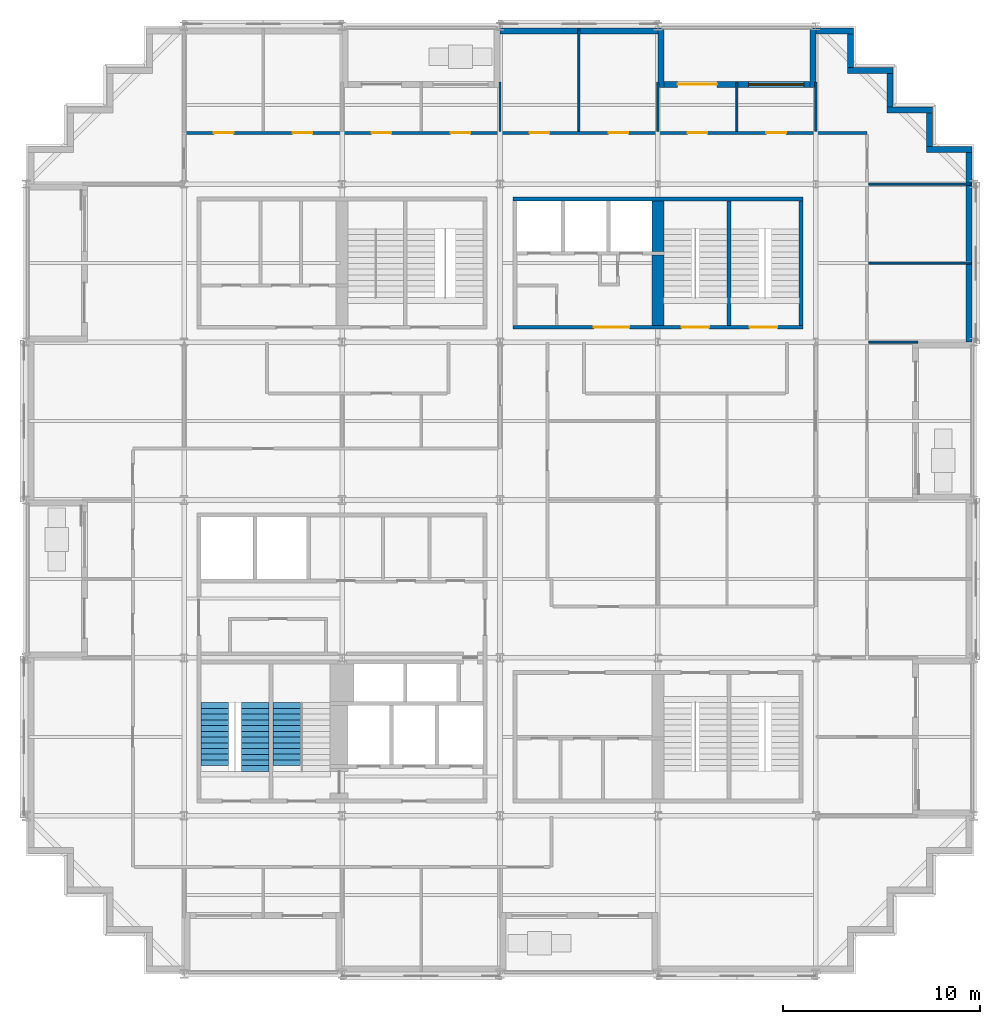
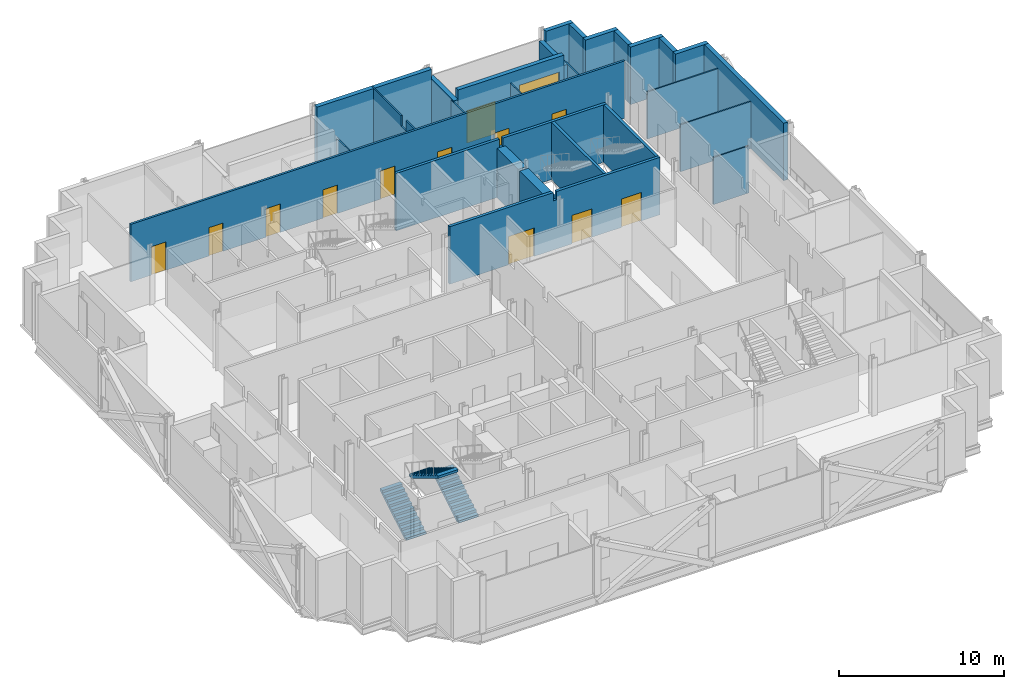
# One storey, part 11 of 15: 27 walls, 12 doors, 3 stair flights, 1 window, 13 openings, 2 elements without a shape of their own.
"""IFC4 building model written with IfcOpenShell, lengths in metres."""

from ifc_helpers import new_model, si_unit, direction, frame, frame_2d, origin, place, context, subcontext, project, spatial, polyline, rectangle, outline, extrude, material, layer, layer_set, type_object, element, fill, aggregate, save


model = new_model("IFC4")

# Units and contexts
model_context = context("Model", 3, precision=1e-05, world=origin(), true_north=direction((0.0, 1.0)))
body_context = subcontext(model_context, "Body", "Model", "MODEL_VIEW")
ifc_project = project(units=[si_unit("LENGTHUNIT", "METRE"), si_unit("AREAUNIT", "SQUARE_METRE"), si_unit("VOLUMEUNIT", "CUBIC_METRE"), si_unit("PLANEANGLEUNIT", "RADIAN"), si_unit("MASSUNIT", "GRAM", prefix="KILO")], contexts=[model_context])

# Site, building, storey
site_placement = place(None, origin())
site = spatial("IfcSite", under=ifc_project, at=site_placement, CompositionType="ELEMENT")
building_placement = place(site_placement, origin())
building = spatial("IfcBuilding", under=site, at=building_placement, Name="Immortelle Media Tower", CompositionType="ELEMENT")
storey_placement = place(building_placement, frame((0.0, 0.0, 105.199951171875)))
storey = spatial("IfcBuildingStorey", under=building, at=storey_placement, Name="L20", CompositionType="ELEMENT", Elevation=105.199951171875)

# Wall, openings, doors
ifc_material_1 = material(Name="Fire-rated gypsum board", Category="gypsum")
ifc_layer_1 = layer(ifc_material_1, 0.012451171875)
ifc_material_2 = material(Name="Steel ASTM A653 SS Gr 50 stud frame with mineral wool", Category="steel")
ifc_layer_2 = layer(ifc_material_2, 0.125)
ifc_layer_3 = layer(ifc_material_1, 0.012451171875)
ifc_layer_set_1 = layer_set([ifc_layer_1, ifc_layer_2, ifc_layer_3], Name="Steel ASTM A653 SS Gr 50 stud frame with mineral wool")
wall_type_1 = type_object("IfcWallType", Name="Corridor wall 150", PredefinedType="PARTITIONING", material=ifc_layer_set_1)
wall_1_placement = place(storey_placement, frame((8.050048828125, 42.60009765625, 0.0), z_axis=(0.0, 0.0, 1.0), x_axis=(1.0, 0.0, 0.0)))
wall_1 = element("IfcWall", 1, at=wall_1_placement, inside=storey, type_object=wall_type_1, Name="Partition L20-045", PredefinedType="PARTITIONING", context=body_context, shape_type="SweptSolid", body=[
    extrude(rectangle(XDim=34.550048828125, YDim=0.14990234375, at=frame_2d((17.27490234375, 0.0))), origin(), (0.0, 0.0, 1.0), 4.25),
])
opening_1_placement = place(wall_1_placement, frame((9.449951171875, 0.0, 0.0)))
opening_1 = element("IfcOpeningElement", 2, at=opening_1_placement, cuts=wall_1, Name="Opening N7-F027", PredefinedType="OPENING", context=body_context, shape_type="SweptSolid", body=[
    extrude(rectangle(XDim=1.0, YDim=2.10009765625, at=frame_2d((0.5, 1.050048828125))), frame((0.0, 0.0849609375, 0.0), z_axis=(0.0, -1.0, 0.0), x_axis=(1.0, 0.0, 0.0)), (0.0, 0.0, 1.0), 0.169921875),
])
opening_2_placement = place(wall_1_placement, frame((13.449951171875, 0.0, 0.0)))
opening_2 = element("IfcOpeningElement", 3, at=opening_2_placement, cuts=wall_1, Name="Opening N7-F028", PredefinedType="OPENING", context=body_context, shape_type="SweptSolid", body=[
    extrude(rectangle(XDim=1.0, YDim=2.10009765625, at=frame_2d((0.5, 1.050048828125))), frame((0.0, 0.0849609375, 0.0), z_axis=(0.0, -1.0, 0.0), x_axis=(1.0, 0.0, 0.0)), (0.0, 0.0, 1.0), 0.169921875),
])
opening_3_placement = place(wall_1_placement, frame((25.449951171875, 0.0, 0.0)))
opening_3 = element("IfcOpeningElement", 4, at=opening_3_placement, cuts=wall_1, Name="Opening N7-F029", PredefinedType="OPENING", context=body_context, shape_type="SweptSolid", body=[
    extrude(rectangle(XDim=1.0, YDim=2.10009765625, at=frame_2d((0.5, 1.050048828125))), frame((0.0, 0.0849609375, 0.0), z_axis=(0.0, -1.0, 0.0), x_axis=(1.0, 0.0, 0.0)), (0.0, 0.0, 1.0), 0.169921875),
])
opening_4_placement = place(wall_1_placement, frame((29.449951171875, 0.0, 0.0)))
opening_4 = element("IfcOpeningElement", 5, at=opening_4_placement, cuts=wall_1, Name="Opening N7-F030", PredefinedType="OPENING", context=body_context, shape_type="SweptSolid", body=[
    extrude(rectangle(XDim=1.0, YDim=2.10009765625, at=frame_2d((0.5, 1.050048828125))), frame((0.0, 0.0849609375, 0.0), z_axis=(0.0, -1.0, 0.0), x_axis=(1.0, 0.0, 0.0)), (0.0, 0.0, 1.0), 0.169921875),
])
opening_5_placement = place(wall_1_placement, frame((1.449951171875, 0.0, 0.0)))
opening_5 = element("IfcOpeningElement", 6, at=opening_5_placement, cuts=wall_1, Name="Opening N7-F031", PredefinedType="OPENING", context=body_context, shape_type="SweptSolid", body=[
    extrude(rectangle(XDim=1.0, YDim=2.10009765625, at=frame_2d((0.5, 1.050048828125))), frame((0.0, 0.0849609375, 0.0), z_axis=(0.0, -1.0, 0.0), x_axis=(1.0, 0.0, 0.0)), (0.0, 0.0, 1.0), 0.169921875),
])
opening_6_placement = place(wall_1_placement, frame((5.449951171875, 0.0, 0.0)))
opening_6 = element("IfcOpeningElement", 7, at=opening_6_placement, cuts=wall_1, Name="Opening N7-F032", PredefinedType="OPENING", context=body_context, shape_type="SweptSolid", body=[
    extrude(rectangle(XDim=1.0, YDim=2.10009765625, at=frame_2d((0.5, 1.050048828125))), frame((0.0, 0.0849609375, 0.0), z_axis=(0.0, -1.0, 0.0), x_axis=(1.0, 0.0, 0.0)), (0.0, 0.0, 1.0), 0.169921875),
])
opening_7_placement = place(wall_1_placement, frame((17.449951171875, 0.0, 0.0)))
opening_7 = element("IfcOpeningElement", 8, at=opening_7_placement, cuts=wall_1, Name="Opening N7-F033", PredefinedType="OPENING", context=body_context, shape_type="SweptSolid", body=[
    extrude(rectangle(XDim=1.0, YDim=2.10009765625, at=frame_2d((0.5, 1.050048828125))), frame((0.0, 0.0849609375, 0.0), z_axis=(0.0, -1.0, 0.0), x_axis=(1.0, 0.0, 0.0)), (0.0, 0.0, 1.0), 0.169921875),
])
opening_8_placement = place(wall_1_placement, frame((21.449951171875, 0.0, 0.0)))
opening_8 = element("IfcOpeningElement", 9, at=opening_8_placement, cuts=wall_1, Name="Opening N7-F034", PredefinedType="OPENING", context=body_context, shape_type="SweptSolid", body=[
    extrude(rectangle(XDim=1.0, YDim=2.10009765625, at=frame_2d((0.5, 1.050048828125))), frame((0.0, 0.0849609375, 0.0), z_axis=(0.0, -1.0, 0.0), x_axis=(1.0, 0.0, 0.0)), (0.0, 0.0, 1.0), 0.169921875),
])
ifc_material_3 = material(Name="Timber veneered door leaf, galvanised steel frame ASTM A653", Category="steel")
door_type_1 = type_object("IfcDoorType", Name="Room door 1000 x 2100", OperationType="NOTDEFINED", PredefinedType="DOOR", material=ifc_material_3)
door_1_placement = place(opening_1_placement, origin())
door_1 = element("IfcDoor", 10, at=door_1_placement, inside=storey, type_object=door_type_1, Name="Door N7-F027", OperationType="SINGLE_SWING_RIGHT", OverallHeight=2.10009765625, OverallWidth=1.0, PredefinedType="DOOR", context=body_context, shape_type="SweptSolid", body=[
    extrude(rectangle(XDim=1.0, YDim=2.10009765625, at=frame_2d((0.5, 1.050048828125))), frame((0.0, 0.02490234375, 0.0), z_axis=(0.0, -1.0, 0.0), x_axis=(1.0, 0.0, 0.0)), (0.0, 0.0, 1.0), 0.050048828125),
])
fill(opening_1, door_1)
door_2_placement = place(opening_2_placement, origin())
door_2 = element("IfcDoor", 11, at=door_2_placement, inside=storey, type_object=door_type_1, Name="Door N7-F028", OperationType="SINGLE_SWING_LEFT", OverallHeight=2.10009765625, OverallWidth=1.0, PredefinedType="DOOR", context=body_context, shape_type="SweptSolid", body=[
    extrude(rectangle(XDim=1.0, YDim=2.10009765625, at=frame_2d((0.5, 1.050048828125))), frame((0.0, 0.02490234375, 0.0), z_axis=(0.0, -1.0, 0.0), x_axis=(1.0, 0.0, 0.0)), (0.0, 0.0, 1.0), 0.050048828125),
])
fill(opening_2, door_2)
door_3_placement = place(opening_3_placement, origin())
door_3 = element("IfcDoor", 12, at=door_3_placement, inside=storey, type_object=door_type_1, Name="Door N7-F029", OperationType="SINGLE_SWING_RIGHT", OverallHeight=2.10009765625, OverallWidth=1.0, PredefinedType="DOOR", context=body_context, shape_type="SweptSolid", body=[
    extrude(rectangle(XDim=1.0, YDim=2.10009765625, at=frame_2d((0.5, 1.050048828125))), frame((0.0, 0.02490234375, 0.0), z_axis=(0.0, -1.0, 0.0), x_axis=(1.0, 0.0, 0.0)), (0.0, 0.0, 1.0), 0.050048828125),
])
fill(opening_3, door_3)
door_4_placement = place(opening_4_placement, origin())
door_4 = element("IfcDoor", 13, at=door_4_placement, inside=storey, type_object=door_type_1, Name="Door N7-F030", OperationType="SINGLE_SWING_RIGHT", OverallHeight=2.10009765625, OverallWidth=1.0, PredefinedType="DOOR", context=body_context, shape_type="SweptSolid", body=[
    extrude(rectangle(XDim=1.0, YDim=2.10009765625, at=frame_2d((0.5, 1.050048828125))), frame((0.0, 0.02490234375, 0.0), z_axis=(0.0, -1.0, 0.0), x_axis=(1.0, 0.0, 0.0)), (0.0, 0.0, 1.0), 0.050048828125),
])
fill(opening_4, door_4)
door_5_placement = place(opening_5_placement, origin())
door_5 = element("IfcDoor", 14, at=door_5_placement, inside=storey, type_object=door_type_1, Name="Door N7-F031", OperationType="SINGLE_SWING_LEFT", OverallHeight=2.10009765625, OverallWidth=1.0, PredefinedType="DOOR", context=body_context, shape_type="SweptSolid", body=[
    extrude(rectangle(XDim=1.0, YDim=2.10009765625, at=frame_2d((0.5, 1.050048828125))), frame((0.0, 0.02490234375, 0.0), z_axis=(0.0, -1.0, 0.0), x_axis=(1.0, 0.0, 0.0)), (0.0, 0.0, 1.0), 0.050048828125),
])
fill(opening_5, door_5)
door_6_placement = place(opening_6_placement, origin())
door_6 = element("IfcDoor", 15, at=door_6_placement, inside=storey, type_object=door_type_1, Name="Door N7-F032", OperationType="SINGLE_SWING_RIGHT", OverallHeight=2.10009765625, OverallWidth=1.0, PredefinedType="DOOR", context=body_context, shape_type="SweptSolid", body=[
    extrude(rectangle(XDim=1.0, YDim=2.10009765625, at=frame_2d((0.5, 1.050048828125))), frame((0.0, 0.02490234375, 0.0), z_axis=(0.0, -1.0, 0.0), x_axis=(1.0, 0.0, 0.0)), (0.0, 0.0, 1.0), 0.050048828125),
])
fill(opening_6, door_6)
door_7_placement = place(opening_7_placement, origin())
door_7 = element("IfcDoor", 16, at=door_7_placement, inside=storey, type_object=door_type_1, Name="Door N7-F033", OperationType="SINGLE_SWING_LEFT", OverallHeight=2.10009765625, OverallWidth=1.0, PredefinedType="DOOR", context=body_context, shape_type="SweptSolid", body=[
    extrude(rectangle(XDim=1.0, YDim=2.10009765625, at=frame_2d((0.5, 1.050048828125))), frame((0.0, 0.02490234375, 0.0), z_axis=(0.0, -1.0, 0.0), x_axis=(1.0, 0.0, 0.0)), (0.0, 0.0, 1.0), 0.050048828125),
])
fill(opening_7, door_7)
door_8_placement = place(opening_8_placement, origin())
door_8 = element("IfcDoor", 17, at=door_8_placement, inside=storey, type_object=door_type_1, Name="Door N7-F034", OperationType="SINGLE_SWING_RIGHT", OverallHeight=2.10009765625, OverallWidth=1.0, PredefinedType="DOOR", context=body_context, shape_type="SweptSolid", body=[
    extrude(rectangle(XDim=1.0, YDim=2.10009765625, at=frame_2d((0.5, 1.050048828125))), frame((0.0, 0.02490234375, 0.0), z_axis=(0.0, -1.0, 0.0), x_axis=(1.0, 0.0, 0.0)), (0.0, 0.0, 1.0), 0.050048828125),
])
fill(opening_8, door_8)

# Walls
ifc_material_4 = material(Name="Pale aluminium cladding panel", Category="aluminium")
ifc_layer_4 = layer(ifc_material_4, 0.030029296875)
ifc_layer_5 = layer(ifc_material_2, 0.257568359375)
ifc_material_5 = material(Name="Moisture-resistant gypsum board", Category="gypsum")
ifc_layer_6 = layer(ifc_material_5, 0.012451171875)
ifc_layer_set_2 = layer_set([ifc_layer_4, ifc_layer_5, ifc_layer_6], Name="Steel ASTM A653 SS Gr 50 stud frame with mineral wool")
wall_type_2 = type_object("IfcWallType", Name="Facade wall 300", PredefinedType="SOLIDWALL", material=ifc_layer_set_2)
wall_2_placement = place(storey_placement, frame((47.75, 32.0, 0.0), z_axis=(0.0, 0.0, 1.0), x_axis=(0.0, 1.0, 0.0)))
element("IfcWall", 18, at=wall_2_placement, inside=storey, type_object=wall_type_2, Name="Facade wall L20 E14", PredefinedType="SOLIDWALL", context=body_context, shape_type="SweptSolid", body=[
    extrude(rectangle(XDim=9.60009765625, YDim=0.300048828125, at=frame_2d((4.800048828125, 0.0))), origin(), (0.0, 0.0, 1.0), 4.25),
])
wall_3_placement = place(storey_placement, frame((47.89990234375, 41.75, 0.0), z_axis=(0.0, 0.0, 1.0), x_axis=(-1.0, 0.0, 0.0)))
element("IfcWall", 19, at=wall_3_placement, inside=storey, type_object=wall_type_2, Name="Facade wall L20 N15", PredefinedType="SOLIDWALL", context=body_context, shape_type="SweptSolid", body=[
    extrude(rectangle(XDim=2.2998046875, YDim=0.300048828125, at=frame_2d((1.14990234375, 0.0))), origin(), (0.0, 0.0, 1.0), 4.25),
])
wall_4_placement = place(storey_placement, frame((45.75, 41.89990234375, 0.0), z_axis=(0.0, 0.0, 1.0), x_axis=(0.0, 1.0, 0.0)))
element("IfcWall", 20, at=wall_4_placement, inside=storey, type_object=wall_type_2, Name="Facade wall L20 E16", PredefinedType="SOLIDWALL", context=body_context, shape_type="SweptSolid", body=[
    extrude(rectangle(XDim=1.7001953125, YDim=0.300048828125, at=frame_2d((0.85009765625, 0.0))), origin(), (0.0, 0.0, 1.0), 4.25),
])
wall_5_placement = place(storey_placement, frame((45.89990234375, 43.75, 0.0), z_axis=(0.0, 0.0, 1.0), x_axis=(-1.0, 0.0, 0.0)))
element("IfcWall", 21, at=wall_5_placement, inside=storey, type_object=wall_type_2, Name="Facade wall L20 N17", PredefinedType="SOLIDWALL", context=body_context, shape_type="SweptSolid", body=[
    extrude(rectangle(XDim=2.2998046875, YDim=0.300048828125, at=frame_2d((1.14990234375, 0.0))), origin(), (0.0, 0.0, 1.0), 4.25),
])
wall_6_placement = place(storey_placement, frame((43.75, 43.89990234375, 0.0), z_axis=(0.0, 0.0, 1.0), x_axis=(0.0, 1.0, 0.0)))
element("IfcWall", 22, at=wall_6_placement, inside=storey, type_object=wall_type_2, Name="Facade wall L20 E18", PredefinedType="SOLIDWALL", context=body_context, shape_type="SweptSolid", body=[
    extrude(rectangle(XDim=1.7001953125, YDim=0.300048828125, at=frame_2d((0.85009765625, 0.0))), origin(), (0.0, 0.0, 1.0), 4.25),
])
wall_7_placement = place(storey_placement, frame((43.89990234375, 45.75, 0.0), z_axis=(0.0, 0.0, 1.0), x_axis=(-1.0, 0.0, 0.0)))
element("IfcWall", 23, at=wall_7_placement, inside=storey, type_object=wall_type_2, Name="Facade wall L20 N19", PredefinedType="SOLIDWALL", context=body_context, shape_type="SweptSolid", body=[
    extrude(rectangle(XDim=2.2998046875, YDim=0.300048828125, at=frame_2d((1.14990234375, 0.0))), origin(), (0.0, 0.0, 1.0), 4.25),
])
wall_8_placement = place(storey_placement, frame((41.75, 45.89990234375, 0.0), z_axis=(0.0, 0.0, 1.0), x_axis=(0.0, 1.0, 0.0)))
element("IfcWall", 24, at=wall_8_placement, inside=storey, type_object=wall_type_2, Name="Facade wall L20 E20", PredefinedType="SOLIDWALL", context=body_context, shape_type="SweptSolid", body=[
    extrude(rectangle(XDim=1.7001953125, YDim=0.300048828125, at=frame_2d((0.85009765625, 0.0))), origin(), (0.0, 0.0, 1.0), 4.25),
])
wall_9_placement = place(storey_placement, frame((41.89990234375, 47.75, 0.0), z_axis=(0.0, 0.0, 1.0), x_axis=(-1.0, 0.0, 0.0)))
element("IfcWall", 25, at=wall_9_placement, inside=storey, type_object=wall_type_2, Name="Facade wall L20 N21", PredefinedType="SOLIDWALL", context=body_context, shape_type="SweptSolid", body=[
    extrude(rectangle(XDim=1.89990234375, YDim=0.300048828125, at=frame_2d((0.949951171875, 0.0))), origin(), (0.0, 0.0, 1.0), 4.25),
])

# Wall, openings, door, window
wall_10_placement = place(storey_placement, frame((39.699951171875, 45.050048828125, 0.0), z_axis=(0.0, 0.0, 1.0), x_axis=(-1.0, 0.0, 0.0)))
wall_10 = element("IfcWall", 26, at=wall_10_placement, inside=storey, type_object=wall_type_2, Name="Loggia wall L20 N21", PredefinedType="SOLIDWALL", context=body_context, shape_type="SweptSolid", body=[
    extrude(rectangle(XDim=7.39990234375, YDim=0.300048828125, at=frame_2d((3.699951171875, 0.0))), origin(), (0.0, 0.0, 1.0), 4.25),
])
opening_9_placement = place(wall_10_placement, frame((0.300048828125, 0.0, 0.89990234375)))
opening_9 = element("IfcOpeningElement", 27, at=opening_9_placement, cuts=wall_10, Name="Opening W1", PredefinedType="OPENING", context=body_context, shape_type="SweptSolid", body=[
    extrude(rectangle(XDim=2.800048828125, YDim=2.199951171875, at=frame_2d((1.39990234375, 1.10009765625))), frame((0.0, 0.159912109375, 0.0), z_axis=(0.0, -1.0, 0.0), x_axis=(1.0, 0.0, 0.0)), (0.0, 0.0, 1.0), 0.320068359375),
])
opening_10_placement = place(wall_10_placement, frame((4.699951171875, 0.0, 0.0)))
opening_10 = element("IfcOpeningElement", 28, at=opening_10_placement, cuts=wall_10, Name="Opening N7-E007", PredefinedType="OPENING", context=body_context, shape_type="SweptSolid", body=[
    extrude(rectangle(XDim=2.0, YDim=2.39990234375, at=frame_2d((1.0, 1.199951171875))), frame((0.0, 0.159912109375, 0.0), z_axis=(0.0, -1.0, 0.0), x_axis=(1.0, 0.0, 0.0)), (0.0, 0.0, 1.0), 0.320068359375),
])
ifc_material_6 = material(Name="Aluminium frame, glazed leaves", Category="aluminium")
door_type_2 = type_object("IfcDoorType", Name="Loggia door 2000 x 2400", OperationType="DOUBLE_DOOR_SINGLE_SWING", PredefinedType="DOOR", material=ifc_material_6)
door_9_placement = place(opening_10_placement, origin())
door_9 = element("IfcDoor", 29, at=door_9_placement, inside=storey, type_object=door_type_2, Name="Door N7-E007", OperationType="DOUBLE_DOOR_SINGLE_SWING", OverallHeight=2.39990234375, OverallWidth=2.0, PredefinedType="DOOR", context=body_context, shape_type="SweptSolid", body=[
    extrude(rectangle(XDim=2.0, YDim=2.39990234375, at=frame_2d((1.0, 1.199951171875))), frame((0.0, 0.02490234375, 0.0), z_axis=(0.0, -1.0, 0.0), x_axis=(1.0, 0.0, 0.0)), (0.0, 0.0, 1.0), 0.050048828125),
])
fill(opening_10, door_9)
ifc_material_7 = material(Name="Aluminium frame", Category="aluminium")
window_type = type_object("IfcWindowType", Name="Window 2800 x 2200", PartitioningType="SINGLE_PANEL", PredefinedType="WINDOW", material=ifc_material_7)
window_placement = place(opening_9_placement, origin())
window = element("IfcWindow", 30, at=window_placement, inside=storey, type_object=window_type, Name="Window L20 L20-R21-B0", OverallHeight=2.199951171875, OverallWidth=2.800048828125, PartitioningType="SINGLE_PANEL", PredefinedType="WINDOW", context=body_context, shape_type="SweptSolid", body=[
    extrude(rectangle(XDim=2.800048828125, YDim=2.199951171875, at=frame_2d((1.39990234375, 1.10009765625))), frame((0.0, 0.030029296875, 0.0), z_axis=(0.0, -1.0, 0.0), x_axis=(1.0, 0.0, 0.0)), (0.0, 0.0, 1.0), 0.06005859375),
])
fill(opening_9, window)

# Walls
wall_11_placement = place(storey_placement, frame((39.85009765625, 47.89990234375, 0.0), z_axis=(0.0, 0.0, 1.0), x_axis=(0.0, -1.0, 0.0)))
element("IfcWall", 31, at=wall_11_placement, inside=storey, type_object=wall_type_2, Name="Loggia cheek wall L20 N", PredefinedType="SOLIDWALL", context=body_context, shape_type="SweptSolid", body=[
    extrude(rectangle(XDim=3.0, YDim=0.300048828125, at=frame_2d((1.5, 0.0))), origin(), (0.0, 0.0, 1.0), 3.468994140625),
])
wall_12_placement = place(storey_placement, frame((32.14990234375, 47.89990234375, 0.0), z_axis=(0.0, 0.0, 1.0), x_axis=(0.0, -1.0, 0.0)))
element("IfcWall", 32, at=wall_12_placement, inside=storey, type_object=wall_type_2, Name="Loggia cheek wall L20 N", PredefinedType="SOLIDWALL", context=body_context, shape_type="SweptSolid", body=[
    extrude(rectangle(XDim=3.0, YDim=0.300048828125, at=frame_2d((1.5, 0.0))), origin(), (0.0, 0.0, 1.0), 3.55615234375),
])
wall_13_placement = place(storey_placement, frame((32.0, 47.75, 0.0), z_axis=(0.0, 0.0, 1.0), x_axis=(-1.0, 0.0, 0.0)))
element("IfcWall", 33, at=wall_13_placement, inside=storey, type_object=wall_type_2, Name="Facade wall L20 N21", PredefinedType="SOLIDWALL", context=body_context, shape_type="SweptSolid", body=[
    extrude(rectangle(XDim=8.0, YDim=0.300048828125, at=frame_2d((4.0, 0.0))), origin(), (0.0, 0.0, 1.0), 4.25),
])
ifc_material_8 = material(Name="Gypsum board", Category="gypsum")
ifc_layer_7 = layer(ifc_material_8, 0.012451171875)
ifc_layer_8 = layer(ifc_material_2, 0.074951171875)
ifc_layer_9 = layer(ifc_material_8, 0.012451171875)
ifc_layer_set_3 = layer_set([ifc_layer_7, ifc_layer_8, ifc_layer_9], Name="Steel ASTM A653 SS Gr 50 stud frame with mineral wool")
wall_type_3 = type_object("IfcWallType", Name="Partition 100", PredefinedType="PARTITIONING", material=ifc_layer_set_3)
wall_14_placement = place(storey_placement, frame((42.675048828125, 32.0, 0.0), z_axis=(0.0, 0.0, 1.0), x_axis=(1.0, 0.0, 0.0)))
element("IfcWall", 34, at=wall_14_placement, inside=storey, type_object=wall_type_3, Name="Partition L20-040", PredefinedType="PARTITIONING", context=body_context, shape_type="SweptSolid", body=[
    extrude(rectangle(XDim=2.494873046875, YDim=0.10009765625, at=frame_2d((1.24755859375, 0.0))), origin(), (0.0, 0.0, 1.0), 3.469970703125),
])
for number, where, z_axis, x_axis, name in (
    (35, (42.675048828125, 36.0, 0.0), (0.0, 0.0, 1.0), (1.0, 0.0, 0.0), "Partition L20-041"),
    (36, (42.675048828125, 40.0, 0.0), (0.0, 0.0, 1.0), (1.0, 0.0, 0.0), "Partition L20-043"),
):
    element("IfcWall", number, at=place(storey_placement, frame(where, z_axis=z_axis, x_axis=x_axis)), inside=storey, type_object=wall_type_3, Name=name, PredefinedType="PARTITIONING", context=body_context, shape_type="SweptSolid", body=[
        extrude(rectangle(XDim=5.195068359375, YDim=0.10009765625, at=frame_2d((2.59765625, 0.0))), origin(), (0.0, 0.0, 1.0), 3.469970703125),
    ])
wall_15_placement = place(storey_placement, frame((24.0, 42.675048828125, 0.0), z_axis=(0.0, 0.0, 1.0), x_axis=(0.0, 1.0, 0.0)))
element("IfcWall", 37, at=wall_15_placement, inside=storey, type_object=wall_type_3, Name="Partition L20-050", PredefinedType="PARTITIONING", context=body_context, shape_type="SweptSolid", body=[
    extrude(rectangle(XDim=2.494873046875, YDim=0.10009765625, at=frame_2d((1.24755859375, 0.0))), origin(), (0.0, 0.0, 1.0), 3.469970703125),
])
wall_16_placement = place(storey_placement, frame((28.0, 42.675048828125, 0.0), z_axis=(0.0, 0.0, 1.0), x_axis=(0.0, 1.0, 0.0)))
element("IfcWall", 38, at=wall_16_placement, inside=storey, type_object=wall_type_3, Name="Partition L20-051", PredefinedType="PARTITIONING", context=body_context, shape_type="SweptSolid", body=[
    extrude(outline(polyline([(0.0, 0.0), (5.195068359375, 0.0), (5.195068359375, 4.25), (1.625, 4.25), (1.623046875, 3.469970703125), (1.027099609375, 3.469970703125), (1.02490234375, 4.25), (0.0, 4.25), (0.0, 0.0)])), frame((0.0, 0.050048828125, 0.0), z_axis=(0.0, -1.0, 0.0), x_axis=(1.0, 0.0, 0.0)), (0.0, 0.0, 1.0), 0.10009765625),
])
for number, where, z_axis, x_axis, name in (
    (39, (32.0, 42.675048828125, 0.0), (0.0, 0.0, 1.0), (0.0, 1.0, 0.0), "Partition L20-052"),
    (40, (36.0, 42.675048828125, 0.0), (0.0, 0.0, 1.0), (0.0, 1.0, 0.0), "Partition L20-053"),
    (41, (40.0, 42.675048828125, 0.0), (0.0, 0.0, 1.0), (0.0, 1.0, 0.0), "Partition L20-054"),
):
    element("IfcWall", number, at=place(storey_placement, frame(where, z_axis=z_axis, x_axis=x_axis)), inside=storey, type_object=wall_type_3, Name=name, PredefinedType="PARTITIONING", context=body_context, shape_type="SweptSolid", body=[
        extrude(rectangle(XDim=2.494873046875, YDim=0.10009765625, at=frame_2d((1.24755859375, 0.0))), origin(), (0.0, 0.0, 1.0), 3.469970703125),
    ])

# Wall, openings, doors
ifc_material_9 = material(Name="Concrete C60", Category="concrete")
ifc_layer_10 = layer(ifc_material_9, 0.199951171875)
ifc_layer_set_4 = layer_set([ifc_layer_10], Name="Concrete C60")
wall_type_4 = type_object("IfcWallType", Name="Stair shaft wall 200", PredefinedType="PARTITIONING", material=ifc_layer_set_4)
wall_17_placement = place(storey_placement, frame((24.64990234375, 32.75, 0.0), z_axis=(0.0, 0.0, 1.0), x_axis=(1.0, 0.0, 0.0)))
wall_17 = element("IfcWall", 42, at=wall_17_placement, inside=storey, type_object=wall_type_4, Name="Stair shaft wall NE", PredefinedType="PARTITIONING", context=body_context, shape_type="SweptSolid", body=[
    extrude(outline(polyline([(0.0, 0.0), (14.7001953125, 0.0), (14.699951171875, 4.25), (7.469482421875, 4.25), (7.468505859375, 3.632080078125), (7.2314453125, 3.632080078125), (7.23046875, 4.25), (0.0, 4.25), (0.0, 0.0)])), frame((0.0, 0.10009765625, 0.0), z_axis=(0.0, -1.0, 0.0), x_axis=(1.0, 0.0, 0.0)), (0.0, 0.0, 1.0), 0.199951171875),
])
opening_11_placement = place(wall_17_placement, frame((4.10009765625, 0.0, 0.0)))
opening_11 = element("IfcOpeningElement", 43, at=opening_11_placement, cuts=wall_17, Name="Opening N7-K030", PredefinedType="OPENING", context=body_context, shape_type="SweptSolid", body=[
    extrude(rectangle(XDim=1.800048828125, YDim=2.10009765625, at=frame_2d((0.89990234375, 1.050048828125))), frame((0.0, 0.10986328125, 0.0), z_axis=(0.0, -1.0, 0.0), x_axis=(1.0, 0.0, 0.0)), (0.0, 0.0, 1.0), 0.219970703125),
])
opening_12_placement = place(wall_17_placement, frame((8.550048828125, 0.0, 0.0)))
opening_12 = element("IfcOpeningElement", 44, at=opening_12_placement, cuts=wall_17, Name="Opening N7-K033", PredefinedType="OPENING", context=body_context, shape_type="SweptSolid", body=[
    extrude(rectangle(XDim=1.39990234375, YDim=2.10009765625, at=frame_2d((0.699951171875, 1.050048828125))), frame((0.0, 0.10986328125, 0.0), z_axis=(0.0, -1.0, 0.0), x_axis=(1.0, 0.0, 0.0)), (0.0, 0.0, 1.0), 0.219970703125),
])
opening_13_placement = place(wall_17_placement, frame((12.0, 0.0, 0.0)))
opening_13 = element("IfcOpeningElement", 45, at=opening_13_placement, cuts=wall_17, Name="Opening N7-K034", PredefinedType="OPENING", context=body_context, shape_type="SweptSolid", body=[
    extrude(rectangle(XDim=1.39990234375, YDim=2.10009765625, at=frame_2d((0.699951171875, 1.050048828125))), frame((0.0, 0.10986328125, 0.0), z_axis=(0.0, -1.0, 0.0), x_axis=(1.0, 0.0, 0.0)), (0.0, 0.0, 1.0), 0.219970703125),
])
ifc_material_10 = material(Name="Galvanised steel door leaf and frame ASTM A653", Category="steel")
door_type_3 = type_object("IfcDoorType", Name="Lift lobby door 1800 x 2100", OperationType="DOUBLE_DOOR_SINGLE_SWING", PredefinedType="NOTDEFINED", material=ifc_material_10)
door_10_placement = place(opening_11_placement, origin())
door_10 = element("IfcDoor", 46, at=door_10_placement, inside=storey, type_object=door_type_3, Name="Lift lobby N7-K030", OperationType="DOUBLE_DOOR_SINGLE_SWING", OverallHeight=2.10009765625, OverallWidth=1.800048828125, PredefinedType="NOTDEFINED", context=body_context, shape_type="SweptSolid", body=[
    extrude(rectangle(XDim=1.800048828125, YDim=2.10009765625, at=frame_2d((0.89990234375, 1.050048828125))), frame((0.0, 0.02490234375, 0.0), z_axis=(0.0, -1.0, 0.0), x_axis=(1.0, 0.0, 0.0)), (0.0, 0.0, 1.0), 0.050048828125),
])
fill(opening_11, door_10)
door_type_4 = type_object("IfcDoorType", Name="Stair door 1400 x 2100", OperationType="DOUBLE_DOOR_SINGLE_SWING", PredefinedType="NOTDEFINED", material=ifc_material_10)
door_11_placement = place(opening_12_placement, origin())
door_11 = element("IfcDoor", 47, at=door_11_placement, inside=storey, type_object=door_type_4, Name="Stair N7-K033", OperationType="DOUBLE_DOOR_SINGLE_SWING", OverallHeight=2.10009765625, OverallWidth=1.39990234375, PredefinedType="NOTDEFINED", context=body_context, shape_type="SweptSolid", body=[
    extrude(rectangle(XDim=1.39990234375, YDim=2.10009765625, at=frame_2d((0.699951171875, 1.050048828125))), frame((0.0, 0.02490234375, 0.0), z_axis=(0.0, -1.0, 0.0), x_axis=(1.0, 0.0, 0.0)), (0.0, 0.0, 1.0), 0.050048828125),
])
fill(opening_12, door_11)
door_12_placement = place(opening_13_placement, origin())
door_12 = element("IfcDoor", 48, at=door_12_placement, inside=storey, type_object=door_type_4, Name="Stair N7-K034", OperationType="DOUBLE_DOOR_SINGLE_SWING", OverallHeight=2.10009765625, OverallWidth=1.39990234375, PredefinedType="NOTDEFINED", context=body_context, shape_type="SweptSolid", body=[
    extrude(rectangle(XDim=1.39990234375, YDim=2.10009765625, at=frame_2d((0.699951171875, 1.050048828125))), frame((0.0, 0.02490234375, 0.0), z_axis=(0.0, -1.0, 0.0), x_axis=(1.0, 0.0, 0.0)), (0.0, 0.0, 1.0), 0.050048828125),
])
fill(opening_13, door_12)

# Walls
wall_18_placement = place(storey_placement, frame((24.64990234375, 39.25, 0.0), z_axis=(0.0, 0.0, 1.0), x_axis=(1.0, 0.0, 0.0)))
element("IfcWall", 49, at=wall_18_placement, inside=storey, type_object=wall_type_4, Name="Stair shaft wall NE", PredefinedType="PARTITIONING", context=body_context, shape_type="SweptSolid", body=[
    extrude(outline(polyline([(0.0, 0.0), (14.7001953125, 0.0), (14.699951171875, 4.25), (7.469482421875, 4.25), (7.468505859375, 3.632080078125), (7.2314453125, 3.632080078125), (7.23046875, 4.25), (0.0, 4.25), (0.0, 0.0)])), frame((0.0, 0.10009765625, 0.0), z_axis=(0.0, -1.0, 0.0), x_axis=(1.0, 0.0, 0.0)), (0.0, 0.0, 1.0), 0.199951171875),
])
for number, where, z_axis, x_axis, name in (
    (50, (35.60009765625, 32.85009765625, 0.0), (0.0, 0.0, 1.0), (0.0, 1.0, 0.0), "Stair shaft wall NE"),
    (51, (39.25, 32.85009765625, 0.0), (0.0, 0.0, 1.0), (0.0, 1.0, 0.0), "Stair shaft wall NE"),
):
    element("IfcWall", number, at=place(storey_placement, frame(where, z_axis=z_axis, x_axis=x_axis)), inside=storey, type_object=wall_type_4, Name=name, PredefinedType="PARTITIONING", context=body_context, shape_type="SweptSolid", body=[
        extrude(rectangle(XDim=6.2998046875, YDim=0.199951171875, at=frame_2d((3.14990234375, 0.0))), origin(), (0.0, 0.0, 1.0), 4.25),
    ])
ifc_layer_11 = layer(ifc_material_9, 0.60009765625)
ifc_layer_set_5 = layer_set([ifc_layer_11], Name="Concrete C60")
wall_type_5 = type_object("IfcWallType", Name="Stair shaft wall 600", PredefinedType="PARTITIONING", material=ifc_layer_set_5)
wall_19_placement = place(storey_placement, frame((32.0, 32.85009765625, 0.0), z_axis=(0.0, 0.0, 1.0), x_axis=(0.0, 1.0, 0.0)))
element("IfcWall", 52, at=wall_19_placement, inside=storey, type_object=wall_type_5, Name="Stair shaft wall NE", PredefinedType="PARTITIONING", context=body_context, shape_type="SweptSolid", body=[
    extrude(rectangle(XDim=3.5498046875, YDim=0.60009765625, at=frame_2d((1.77490234375, 0.0))), origin(), (0.0, 0.0, 1.0), 3.632080078125),
])
wall_20_placement = place(storey_placement, frame((32.0, 36.60009765625, 0.0), z_axis=(0.0, 0.0, 1.0), x_axis=(0.0, 1.0, 0.0)))
element("IfcWall", 53, at=wall_20_placement, inside=storey, type_object=wall_type_5, Name="Stair shaft wall NE", PredefinedType="PARTITIONING", context=body_context, shape_type="SweptSolid", body=[
    extrude(rectangle(XDim=2.5498046875, YDim=0.60009765625, at=frame_2d((1.27490234375, 0.0))), origin(), (0.0, 0.0, 1.0), 3.632080078125),
])

# Stair, stair flights
ifc_material_11 = material(Name="Steel ASTM A992 Gr 50", Category="steel")
stair_type = type_object("IfcStairType", Name="Stair with flights", PredefinedType="DOUBLE_RETURN_STAIR", material=ifc_material_11)
stair_1_placement = place(storey_placement, origin())
stair_1 = element("IfcStair", 54, at=stair_1_placement, inside=storey, type_object=stair_type, Name="Exit stair SW1", PredefinedType="DOUBLE_RETURN_STAIR")
stair_flight_type = type_object("IfcStairFlightType", Name="Stair flight 1400", PredefinedType="STRAIGHT", material=ifc_material_11)
stair_flight_1_placement = place(storey_placement, frame((9.550048828125, 10.5400390625, 0.0), z_axis=(0.0, 0.0, 1.0), x_axis=(0.0, 1.0, 0.0)))
stair_flight_1 = element("IfcStairFlight", 55, at=stair_flight_1_placement, type_object=stair_flight_type, Name="ST SW1 flight 1", NumberOfRisers=12, NumberOfTreads=11, PredefinedType="STRAIGHT", RiserHeight=0.176, TreadLength=0.29, context=body_context, shape_type="SweptSolid", body=[
    extrude(outline(polyline([(0.0, 0.0), (0.0, 0.176025390625), (0.2900390625, 0.176025390625), (0.2900390625, 0.35205078125), (0.580078125, 0.35205078125), (0.580078125, 0.528076171875), (0.8701171875, 0.528076171875), (0.8701171875, 0.7041015625), (1.159912109375, 0.7041015625), (1.159912109375, 0.8798828125), (1.449951171875, 0.8798828125), (1.449951171875, 1.055908203125), (1.739990234375, 1.055908203125), (1.739990234375, 1.23193359375), (2.030029296875, 1.23193359375), (2.030029296875, 1.407958984375), (2.320068359375, 1.407958984375), (2.320068359375, 1.583984375), (2.610107421875, 1.583984375), (2.610107421875, 1.760009765625), (2.89990234375, 1.760009765625), (2.89990234375, 1.93603515625), (3.18994140625, 1.93603515625), (3.18994140625, 2.112060546875), (3.18994140625, 1.7607421875), (0.288818359375, 0.0), (0.0, 0.0)])), frame((0.0, 0.699951171875, 0.0), z_axis=(0.0, -1.0, 0.0), x_axis=(1.0, 0.0, 0.0)), (0.0, 0.0, 1.0), 1.39990234375),
])
stair_flight_2_placement = place(storey_placement, frame((11.60009765625, 13.72998046875, 2.112060546875), z_axis=(0.0, 0.0, 1.0), x_axis=(0.0, -1.0, 0.0)))
stair_flight_2 = element("IfcStairFlight", 56, at=stair_flight_2_placement, type_object=stair_flight_type, Name="ST SW1 flight 2", NumberOfRisers=13, NumberOfTreads=12, PredefinedType="STRAIGHT", RiserHeight=0.176, TreadLength=0.29, context=body_context, shape_type="SweptSolid", body=[
    extrude(outline(polyline([(0.0, 0.0), (0.0, 0.176025390625), (0.2900390625, 0.176025390625), (0.2900390625, 0.35205078125), (0.580078125, 0.35205078125), (0.580078125, 0.528076171875), (0.8701171875, 0.528076171875), (0.8701171875, 0.7041015625), (1.159912109375, 0.7041015625), (1.159912109375, 0.8798828125), (1.449951171875, 0.8798828125), (1.449951171875, 1.055908203125), (1.739990234375, 1.055908203125), (1.739990234375, 1.23193359375), (2.030029296875, 1.23193359375), (2.030029296875, 1.407958984375), (2.320068359375, 1.407958984375), (2.320068359375, 1.583984375), (2.610107421875, 1.583984375), (2.610107421875, 1.760009765625), (2.89990234375, 1.760009765625), (2.89990234375, 1.93603515625), (3.18994140625, 1.93603515625), (3.18994140625, 2.112060546875), (3.47998046875, 2.112060546875), (3.47998046875, 2.2880859375), (3.47998046875, 1.936767578125), (0.288818359375, 0.0), (0.0, 0.0)])), frame((0.0, 0.699951171875, 0.0), z_axis=(0.0, -1.0, 0.0), x_axis=(1.0, 0.0, 0.0)), (0.0, 0.0, 1.0), 1.39990234375),
])
aggregate(stair_1, [stair_flight_1, stair_flight_2])

# Stair, stair flight
stair_2_placement = place(storey_placement, origin())
stair_2 = element("IfcStair", 57, at=stair_2_placement, inside=storey, type_object=stair_type, Name="Exit stair SW2", PredefinedType="DOUBLE_RETURN_STAIR")
stair_flight_3_placement = place(storey_placement, frame((13.199951171875, 10.5400390625, 0.0), z_axis=(0.0, 0.0, 1.0), x_axis=(0.0, 1.0, 0.0)))
stair_flight_3 = element("IfcStairFlight", 58, at=stair_flight_3_placement, type_object=stair_flight_type, Name="ST SW2 flight 1", NumberOfRisers=12, NumberOfTreads=11, PredefinedType="STRAIGHT", RiserHeight=0.176, TreadLength=0.29, context=body_context, shape_type="SweptSolid", body=[
    extrude(outline(polyline([(0.0, 0.0), (0.0, 0.176025390625), (0.2900390625, 0.176025390625), (0.2900390625, 0.35205078125), (0.580078125, 0.35205078125), (0.580078125, 0.528076171875), (0.8701171875, 0.528076171875), (0.8701171875, 0.7041015625), (1.159912109375, 0.7041015625), (1.159912109375, 0.8798828125), (1.449951171875, 0.8798828125), (1.449951171875, 1.055908203125), (1.739990234375, 1.055908203125), (1.739990234375, 1.23193359375), (2.030029296875, 1.23193359375), (2.030029296875, 1.407958984375), (2.320068359375, 1.407958984375), (2.320068359375, 1.583984375), (2.610107421875, 1.583984375), (2.610107421875, 1.760009765625), (2.89990234375, 1.760009765625), (2.89990234375, 1.93603515625), (3.18994140625, 1.93603515625), (3.18994140625, 2.112060546875), (3.18994140625, 1.7607421875), (0.288818359375, 0.0), (0.0, 0.0)])), frame((0.0, 0.699951171875, 0.0), z_axis=(0.0, -1.0, 0.0), x_axis=(1.0, 0.0, 0.0)), (0.0, 0.0, 1.0), 1.39990234375),
])
aggregate(stair_2, [stair_flight_3])

save(model, "model.ifc")
